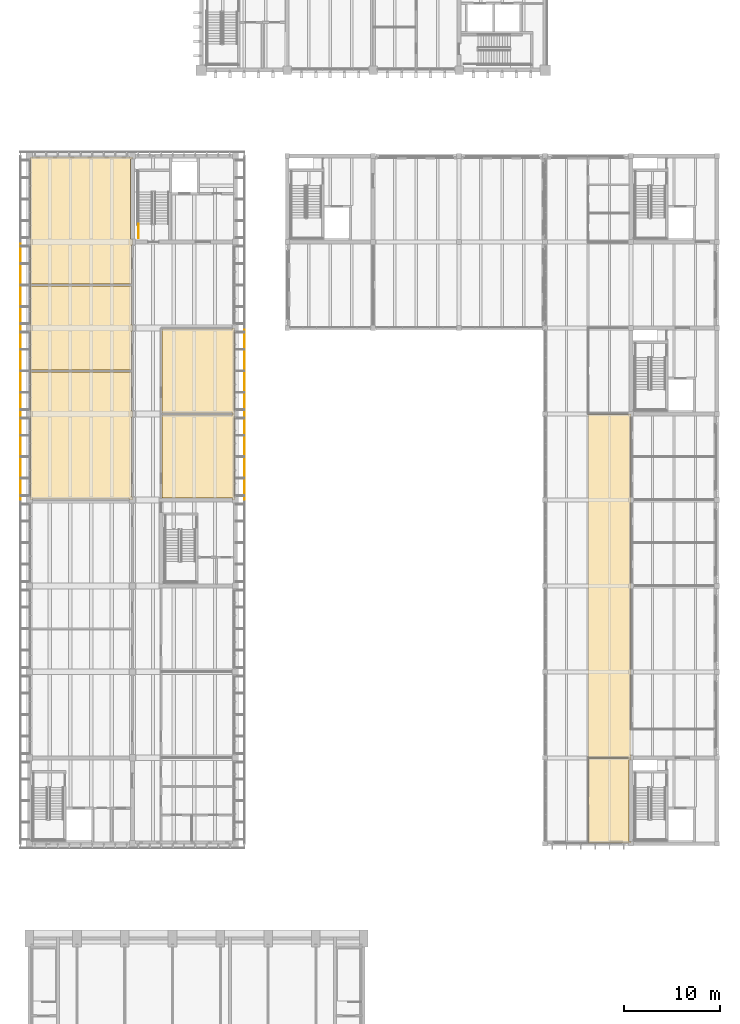
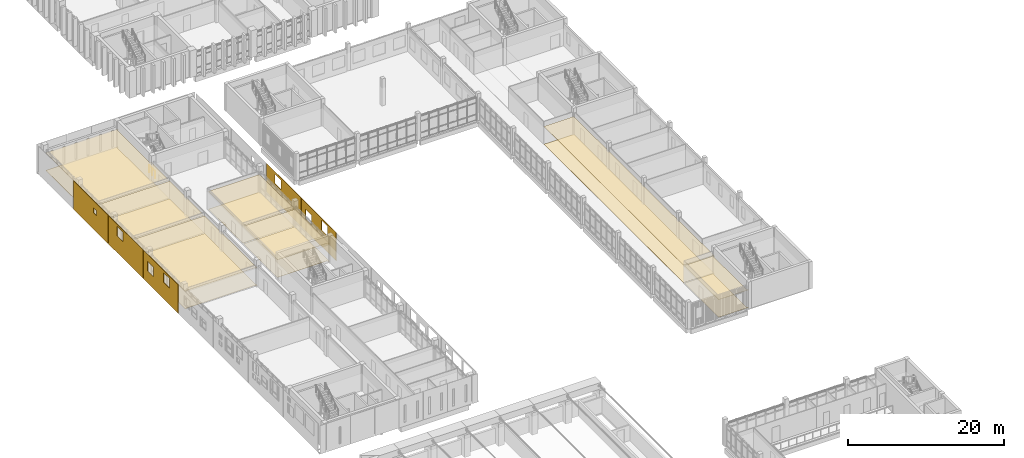
# One storey, part 80 of 92: 19 coverings, 1 railing.
"""IFC4 building model written with IfcOpenShell, lengths in metres."""

from ifc_helpers import new_model, si_unit, direction, frame, origin, origin_2d, place, context, subcontext, project, spatial, polyline, circle, outline, extrude, source, transform, mapped, material, layer, layer_set, type_object, element, save


model = new_model("IFC4")

# Units and contexts
model_context = context("Model", 3, precision=1e-05, world=origin(), true_north=direction((0.0, 1.0)))
body_context = subcontext(model_context, "Body", "Model", "MODEL_VIEW")
ifc_project = project(units=[si_unit("LENGTHUNIT", "METRE"), si_unit("AREAUNIT", "SQUARE_METRE"), si_unit("VOLUMEUNIT", "CUBIC_METRE"), si_unit("PLANEANGLEUNIT", "RADIAN"), si_unit("MASSUNIT", "GRAM", prefix="KILO")], contexts=[model_context])

# Site, building, storey
site_placement = place(None, origin())
site = spatial("IfcSite", under=ifc_project, at=site_placement, CompositionType="ELEMENT")
building_placement = place(site_placement, origin())
building = spatial("IfcBuilding", under=site, at=building_placement, Name="Merrow Basin Faculty of Sciences", CompositionType="ELEMENT")
storey_placement = place(building_placement, frame((0.0, 0.0, 4.5)))
storey = spatial("IfcBuildingStorey", under=building, at=storey_placement, Name="L01", CompositionType="ELEMENT", Elevation=4.5)

# Coverings
ifc_material_1 = material(Name="Carpet tile floor")
ifc_layer_1 = layer(ifc_material_1, 0.02001953125)
ifc_layer_set_1 = layer_set([ifc_layer_1], Name="Carpet tile floor")
covering_type_1 = type_object("IfcCoveringType", Name="Carpet tile floor", PredefinedType="FLOORING", material=ifc_layer_set_1)
covering_1_placement = place(storey_placement, origin())
element("IfcCovering", 1, at=covering_1_placement, inside=storey, type_object=covering_type_1, Name="Floor finish L01-B-025", PredefinedType="FLOORING", context=body_context, shape_type="SweptSolid", body=[
    extrude(outline(polyline([(21.489990234375, 114.989990234375), (21.489990234375, 106.010009765625), (21.284912109375, 106.010009765625), (21.284912109375, 106.0849609375), (13.885009765625, 106.0849609375), (13.885009765625, 114.9150390625), (21.284912109375, 114.9150390625), (21.284912109375, 114.989990234375), (21.489990234375, 114.989990234375)])), origin(), (0.0, 0.0, 1.0), 0.02001953125),
])
covering_2_placement = place(storey_placement, origin())
element("IfcCovering", 2, at=covering_2_placement, inside=storey, type_object=covering_type_1, Name="Floor finish L01-C-020", PredefinedType="FLOORING", context=body_context, shape_type="SweptSolid", body=[
    extrude(outline(polyline([(62.989990234375, 105.989990234375), (62.989990234375, 105.760009765625), (62.93994140625, 105.760009765625), (62.93994140625, 97.239990234375), (62.989990234375, 97.239990234375), (62.989990234375, 96.760009765625), (62.93994140625, 96.760009765625), (62.93994140625, 88.239990234375), (62.989990234375, 88.239990234375), (62.989990234375, 87.760009765625), (62.93994140625, 87.760009765625), (62.93994140625, 79.239990234375), (62.989990234375, 79.239990234375), (62.989990234375, 78.760009765625), (62.93994140625, 78.760009765625), (62.93994140625, 72.989990234375), (62.989990234375, 72.989990234375), (62.989990234375, 70.010009765625), (62.760009765625, 70.010009765625), (62.760009765625, 70.06005859375), (58.510009765625, 70.06005859375), (58.510009765625, 105.93994140625), (62.760009765625, 105.93994140625), (62.760009765625, 105.989990234375), (62.989990234375, 105.989990234375)])), origin(), (0.0, 0.0, 1.0), 0.02001953125),
])
covering_3_placement = place(storey_placement, origin())
element("IfcCovering", 3, at=covering_3_placement, inside=storey, type_object=covering_type_1, Name="Floor finish L01-C-024", PredefinedType="FLOORING", context=body_context, shape_type="SweptSolid", body=[
    extrude(outline(polyline([(62.989990234375, 69.989990234375), (62.989990234375, 69.760009765625), (62.7900390625, 69.760009765625), (62.7900390625, 61.239990234375), (62.989990234375, 61.239990234375), (62.989990234375, 61.110107421875), (58.56005859375, 61.110107421875), (58.56005859375, 69.93994140625), (62.760009765625, 69.93994140625), (62.760009765625, 69.989990234375), (62.989990234375, 69.989990234375)])), origin(), (0.0, 0.0, 1.0), 0.02001953125),
])
ifc_material_2 = material(Name="Laboratory sheet vinyl floor")
ifc_layer_2 = layer(ifc_material_2, 0.02001953125)
ifc_layer_set_2 = layer_set([ifc_layer_2], Name="Laboratory sheet vinyl floor")
covering_type_2 = type_object("IfcCoveringType", Name="Laboratory sheet vinyl floor", PredefinedType="FLOORING", material=ifc_layer_set_2)
covering_4_placement = place(storey_placement, origin())
element("IfcCovering", 4, at=covering_4_placement, inside=storey, type_object=covering_type_2, Name="Floor finish L01-B-019", PredefinedType="FLOORING", context=body_context, shape_type="SweptSolid", body=[
    extrude(outline(polyline([(10.715087890625, 110.4150390625), (10.715087890625, 106.31494140625), (10.7900390625, 106.31494140625), (10.7900390625, 105.68505859375), (10.715087890625, 105.68505859375), (10.715087890625, 97.31494140625), (10.7900390625, 97.31494140625), (10.7900390625, 97.010009765625), (10.485107421875, 97.010009765625), (10.485107421875, 97.0849609375), (0.31494140625, 97.0849609375), (0.31494140625, 97.010009765625), (0.110107421875, 97.010009765625), (0.110107421875, 110.489990234375), (0.169921875, 110.489990234375), (0.169921875, 110.4150390625), (10.715087890625, 110.4150390625)])), origin(), (0.0, 0.0, 1.0), 0.02001953125),
])
covering_5_placement = place(storey_placement, origin())
element("IfcCovering", 5, at=covering_5_placement, inside=storey, type_object=covering_type_2, Name="Floor finish L01-B-020", PredefinedType="FLOORING", context=body_context, shape_type="SweptSolid", body=[
    extrude(outline(polyline([(10.715087890625, 119.4150390625), (10.715087890625, 115.31494140625), (10.7900390625, 115.31494140625), (10.7900390625, 114.68505859375), (10.715087890625, 114.68505859375), (10.715087890625, 110.5849609375), (0.169921875, 110.5849609375), (0.169921875, 110.510009765625), (0.110107421875, 110.510009765625), (0.110107421875, 119.489990234375), (0.169921875, 119.489990234375), (0.169921875, 119.4150390625), (10.715087890625, 119.4150390625)])), origin(), (0.0, 0.0, 1.0), 0.02001953125),
])
covering_6_placement = place(storey_placement, origin())
element("IfcCovering", 6, at=covering_6_placement, inside=storey, type_object=covering_type_2, Name="Floor finish L01-B-021", PredefinedType="FLOORING", context=body_context, shape_type="SweptSolid", body=[
    extrude(outline(polyline([(10.715087890625, 119.5849609375), (0.169921875, 119.5849609375), (0.169921875, 119.510009765625), (0.110107421875, 119.510009765625), (0.110107421875, 132.889892578125), (10.7900390625, 132.889892578125), (10.7900390625, 132.68505859375), (10.590087890625, 132.68505859375), (10.590087890625, 124.31494140625), (10.7900390625, 124.31494140625), (10.7900390625, 123.68505859375), (10.715087890625, 123.68505859375), (10.715087890625, 119.5849609375)])), origin(), (0.0, 0.0, 1.0), 0.02001953125),
])
covering_7_placement = place(storey_placement, origin())
element("IfcCovering", 7, at=covering_7_placement, inside=storey, type_object=covering_type_2, Name="Floor finish L01-B-024", PredefinedType="FLOORING", context=body_context, shape_type="SweptSolid", body=[
    extrude(outline(polyline([(21.489990234375, 105.989990234375), (21.489990234375, 97.010009765625), (21.284912109375, 97.010009765625), (21.284912109375, 97.2099609375), (13.885009765625, 97.2099609375), (13.885009765625, 105.9150390625), (21.284912109375, 105.9150390625), (21.284912109375, 105.989990234375), (21.489990234375, 105.989990234375)])), origin(), (0.0, 0.0, 1.0), 0.02001953125),
])

# Railing
ifc_material_3 = material(Name="Steel ASTM A36", Category="steel")
railing_type = type_object("IfcRailingType", Name="Steel guard 1100", PredefinedType="GUARDRAIL", material=ifc_material_3)
railing_placement = place(storey_placement, frame((11.449951171875, 124.39990234375, 0.0)))
element("IfcRailing", 8, at=railing_placement, inside=storey, type_object=railing_type, Name="L01 ST-V4-N stair guard 6", PredefinedType="GUARDRAIL", context=body_context, shape_type="SweptSolid", body=[
    extrude(circle(Radius=0.02392578125, at=origin_2d()), frame((0.0, 0.0, 1.076171875), z_axis=(0.0, 1.0, 0.0), x_axis=(-1.0, 0.0, 0.0)), (0.0, 0.0, 1.0), 1.5),
    extrude(circle(Radius=0.02099609375, at=origin_2d()), origin(), (0.0, 0.0, 1.0), 1.052001953125),
    extrude(circle(Radius=0.02099609375, at=origin_2d()), frame((0.0, 0.75, 0.0)), (0.0, 0.0, 1.0), 1.052001953125),
    extrude(circle(Radius=0.02099609375, at=origin_2d()), frame((0.0, 1.5, 0.0)), (0.0, 0.0, 1.0), 1.052001953125),
])

# Coverings
ifc_material_4 = material(Name="Mineral fibre ceiling tile")
ifc_layer_3 = layer(ifc_material_4, 0.050048828125)
ifc_layer_set_3 = layer_set([ifc_layer_3], Name="Suspended acoustic ceiling tile")
covering_type_3 = type_object("IfcCoveringType", Name="Suspended acoustic ceiling tile", PredefinedType="CEILING", material=ifc_layer_set_3)
covering_8_placement = place(storey_placement, frame((0.0, 0.0, 2.75)))
element("IfcCovering", 9, at=covering_8_placement, inside=storey, type_object=covering_type_3, Name="Ceiling L01-B-019", PredefinedType="CEILING", context=body_context, shape_type="SweptSolid", body=[
    extrude(outline(polyline([(10.715087890625, 110.4150390625), (10.715087890625, 106.31494140625), (10.7900390625, 106.31494140625), (10.7900390625, 105.68505859375), (10.715087890625, 105.68505859375), (10.715087890625, 97.31494140625), (10.7900390625, 97.31494140625), (10.7900390625, 97.010009765625), (10.485107421875, 97.010009765625), (10.485107421875, 97.0849609375), (0.31494140625, 97.0849609375), (0.31494140625, 97.010009765625), (0.110107421875, 97.010009765625), (0.110107421875, 110.489990234375), (0.169921875, 110.489990234375), (0.169921875, 110.4150390625), (10.715087890625, 110.4150390625)])), origin(), (0.0, 0.0, 1.0), 0.050048828125),
])
covering_9_placement = place(storey_placement, frame((0.0, 0.0, 2.75)))
element("IfcCovering", 10, at=covering_9_placement, inside=storey, type_object=covering_type_3, Name="Ceiling L01-B-020", PredefinedType="CEILING", context=body_context, shape_type="SweptSolid", body=[
    extrude(outline(polyline([(10.715087890625, 119.4150390625), (10.715087890625, 115.31494140625), (10.7900390625, 115.31494140625), (10.7900390625, 114.68505859375), (10.715087890625, 114.68505859375), (10.715087890625, 110.5849609375), (0.169921875, 110.5849609375), (0.169921875, 110.510009765625), (0.110107421875, 110.510009765625), (0.110107421875, 119.489990234375), (0.169921875, 119.489990234375), (0.169921875, 119.4150390625), (10.715087890625, 119.4150390625)])), origin(), (0.0, 0.0, 1.0), 0.050048828125),
])
covering_10_placement = place(storey_placement, frame((0.0, 0.0, 2.75)))
element("IfcCovering", 11, at=covering_10_placement, inside=storey, type_object=covering_type_3, Name="Ceiling L01-B-021", PredefinedType="CEILING", context=body_context, shape_type="SweptSolid", body=[
    extrude(outline(polyline([(10.715087890625, 119.5849609375), (0.169921875, 119.5849609375), (0.169921875, 119.510009765625), (0.110107421875, 119.510009765625), (0.110107421875, 132.889892578125), (10.7900390625, 132.889892578125), (10.7900390625, 132.68505859375), (10.590087890625, 132.68505859375), (10.590087890625, 124.31494140625), (10.7900390625, 124.31494140625), (10.7900390625, 123.68505859375), (10.715087890625, 123.68505859375), (10.715087890625, 119.5849609375)])), origin(), (0.0, 0.0, 1.0), 0.050048828125),
])
covering_11_placement = place(storey_placement, frame((0.0, 0.0, 2.75)))
element("IfcCovering", 12, at=covering_11_placement, inside=storey, type_object=covering_type_3, Name="Ceiling L01-B-024", PredefinedType="CEILING", context=body_context, shape_type="SweptSolid", body=[
    extrude(outline(polyline([(21.489990234375, 105.989990234375), (21.489990234375, 97.010009765625), (21.284912109375, 97.010009765625), (21.284912109375, 97.2099609375), (13.885009765625, 97.2099609375), (13.885009765625, 105.9150390625), (21.284912109375, 105.9150390625), (21.284912109375, 105.989990234375), (21.489990234375, 105.989990234375)])), origin(), (0.0, 0.0, 1.0), 0.050048828125),
])
covering_12_placement = place(storey_placement, frame((0.0, 0.0, 2.75)))
element("IfcCovering", 13, at=covering_12_placement, inside=storey, type_object=covering_type_3, Name="Ceiling L01-B-025", PredefinedType="CEILING", context=body_context, shape_type="SweptSolid", body=[
    extrude(outline(polyline([(21.489990234375, 114.989990234375), (21.489990234375, 106.010009765625), (21.284912109375, 106.010009765625), (21.284912109375, 106.0849609375), (13.885009765625, 106.0849609375), (13.885009765625, 114.9150390625), (21.284912109375, 114.9150390625), (21.284912109375, 114.989990234375), (21.489990234375, 114.989990234375)])), origin(), (0.0, 0.0, 1.0), 0.050048828125),
])
covering_13_placement = place(storey_placement, frame((0.0, 0.0, 2.75)))
element("IfcCovering", 14, at=covering_13_placement, inside=storey, type_object=covering_type_3, Name="Ceiling L01-C-020", PredefinedType="CEILING", context=body_context, shape_type="SweptSolid", body=[
    extrude(outline(polyline([(63.0, 106.0), (63.0, 105.75), (62.949951171875, 105.75), (62.949951171875, 97.25), (63.0, 97.25), (63.0, 96.75), (62.949951171875, 96.75), (62.949951171875, 88.25), (63.0, 88.25), (63.0, 87.75), (62.949951171875, 87.75), (62.949951171875, 79.25), (63.0, 79.25), (63.0, 78.75), (62.949951171875, 78.75), (62.949951171875, 73.0), (63.0, 73.0), (63.0, 70.0), (62.75, 70.0), (62.75, 70.050048828125), (58.5, 70.050048828125), (58.5, 105.949951171875), (62.75, 105.949951171875), (62.75, 106.0), (63.0, 106.0)])), origin(), (0.0, 0.0, 1.0), 0.050048828125),
])
covering_14_placement = place(storey_placement, frame((0.0, 0.0, 2.75)))
element("IfcCovering", 15, at=covering_14_placement, inside=storey, type_object=covering_type_3, Name="Ceiling L01-C-024", PredefinedType="CEILING", context=body_context, shape_type="SweptSolid", body=[
    extrude(outline(polyline([(63.0, 70.0), (63.0, 69.75), (62.800048828125, 69.75), (62.800048828125, 61.25), (63.0, 61.25), (63.0, 61.10009765625), (58.550048828125, 61.10009765625), (58.550048828125, 69.949951171875), (62.75, 69.949951171875), (62.75, 70.0), (63.0, 70.0)])), origin(), (0.0, 0.0, 1.0), 0.050048828125),
])
ifc_material_5 = material(Name="White powder-coated aluminium", Category="aluminium")
ifc_layer_4 = layer(ifc_material_5, 0.0400390625)
ifc_layer_set_4 = layer_set([ifc_layer_4], Name="Perforated panel 9000 x 4500")
covering_type_4 = type_object("IfcCoveringType", Name="Perforated panel 9000 x 4500", PredefinedType="CLADDING", material=ifc_layer_set_4)
shared_shape_1 = source(origin(), body_context, "Body", "SweptSolid", [
    extrude(outline(polyline([(0.02001953125, 0.02001953125), (8.97998046875, 0.02001953125), (8.97998046875, 4.47998046875), (0.02001953125, 4.47998046875), (0.02001953125, 0.02001953125)]), holes=[polyline([(6.375, 1.875), (7.875, 1.875), (7.875, 3.375), (6.375, 3.375), (6.375, 1.875)]), polyline([(2.25, 2.625), (3.75, 2.625), (3.75, 4.125), (2.25, 4.125), (2.25, 2.625)])]), origin(), (0.0, 0.0, 1.0), 0.0400390625),
])
covering_15_placement = place(storey_placement, frame((-0.93994140625, 97.0, -0.320068359375), z_axis=(1.0, 0.0, 0.0), x_axis=(0.0, 1.0, 0.0)))
element("IfcCovering", 16, at=covering_15_placement, inside=storey, type_object=covering_type_4, Name="Perforated panel WL01-05", PredefinedType="CLADDING", context=body_context, shape_type="MappedRepresentation", body=[
    mapped(shared_shape_1, transform((0.0, 0.0, 0.0), scale=1.0)),
])
shared_shape_2 = source(origin(), body_context, "Body", "SweptSolid", [
    extrude(outline(polyline([(0.02001953125, 0.02001953125), (8.97998046875, 0.02001953125), (8.97998046875, 4.47998046875), (0.02001953125, 4.47998046875), (0.02001953125, 0.02001953125)]), holes=[polyline([(1.125, 1.875), (2.625, 1.875), (2.625, 3.375), (1.125, 3.375), (1.125, 1.875)]), polyline([(5.25, 2.625), (6.75, 2.625), (6.75, 4.125), (5.25, 4.125), (5.25, 2.625)])]), origin(), (0.0, 0.0, 1.0), 0.0400390625),
])
covering_16_placement = place(storey_placement, frame((22.5400390625, 106.0, -0.320068359375), z_axis=(-1.0, 0.0, 0.0), x_axis=(0.0, -1.0, 0.0)))
element("IfcCovering", 17, at=covering_16_placement, inside=storey, type_object=covering_type_4, Name="Perforated panel EL01-05", PredefinedType="CLADDING", context=body_context, shape_type="MappedRepresentation", body=[
    mapped(shared_shape_2, transform((0.0, 0.0, 0.0), scale=1.0)),
])
shared_shape_3 = source(origin(), body_context, "Body", "SweptSolid", [
    extrude(outline(polyline([(0.02001953125, 0.02001953125), (8.97998046875, 0.02001953125), (8.97998046875, 4.47998046875), (0.02001953125, 4.47998046875), (0.02001953125, 0.02001953125)]), holes=[polyline([(5.25, 2.625), (6.75, 2.625), (6.75, 4.125), (5.25, 4.125), (5.25, 2.625)])]), origin(), (0.0, 0.0, 1.0), 0.0400390625),
])
covering_17_placement = place(storey_placement, frame((-0.93994140625, 106.0, -0.320068359375), z_axis=(1.0, 0.0, 0.0), x_axis=(0.0, 1.0, 0.0)))
element("IfcCovering", 18, at=covering_17_placement, inside=storey, type_object=covering_type_4, Name="Perforated panel WL01-06", PredefinedType="CLADDING", context=body_context, shape_type="MappedRepresentation", body=[
    mapped(shared_shape_3, transform((0.0, 0.0, 0.0), scale=1.0)),
])
shared_shape_4 = source(origin(), body_context, "Body", "SweptSolid", [
    extrude(outline(polyline([(0.02001953125, 0.02001953125), (8.97998046875, 0.02001953125), (8.97998046875, 4.47998046875), (0.02001953125, 4.47998046875), (0.02001953125, 0.02001953125)]), holes=[polyline([(2.25, 2.625), (3.75, 2.625), (3.75, 4.125), (2.25, 4.125), (2.25, 2.625)])]), origin(), (0.0, 0.0, 1.0), 0.0400390625),
])
covering_18_placement = place(storey_placement, frame((22.5400390625, 115.0, -0.320068359375), z_axis=(-1.0, 0.0, 0.0), x_axis=(0.0, -1.0, 0.0)))
element("IfcCovering", 19, at=covering_18_placement, inside=storey, type_object=covering_type_4, Name="Perforated panel EL01-06", PredefinedType="CLADDING", context=body_context, shape_type="MappedRepresentation", body=[
    mapped(shared_shape_4, transform((0.0, 0.0, 0.0), scale=1.0)),
])
shared_shape_5 = source(origin(), body_context, "Body", "SweptSolid", [
    extrude(outline(polyline([(0.02001953125, 0.02001953125), (8.97998046875, 0.02001953125), (8.97998046875, 4.47998046875), (0.02001953125, 4.47998046875), (0.02001953125, 0.02001953125)]), holes=[polyline([(3.0, 2.625), (3.75, 2.625), (3.75, 3.375), (3.0, 3.375), (3.0, 2.625)])]), origin(), (0.0, 0.0, 1.0), 0.0400390625),
])
covering_19_placement = place(storey_placement, frame((-0.93994140625, 115.0, -0.320068359375), z_axis=(1.0, 0.0, 0.0), x_axis=(0.0, 1.0, 0.0)))
element("IfcCovering", 20, at=covering_19_placement, inside=storey, type_object=covering_type_4, Name="Perforated panel WL01-07", PredefinedType="CLADDING", context=body_context, shape_type="MappedRepresentation", body=[
    mapped(shared_shape_5, transform((0.0, 0.0, 0.0), scale=1.0)),
])

save(model, "model.ifc")
